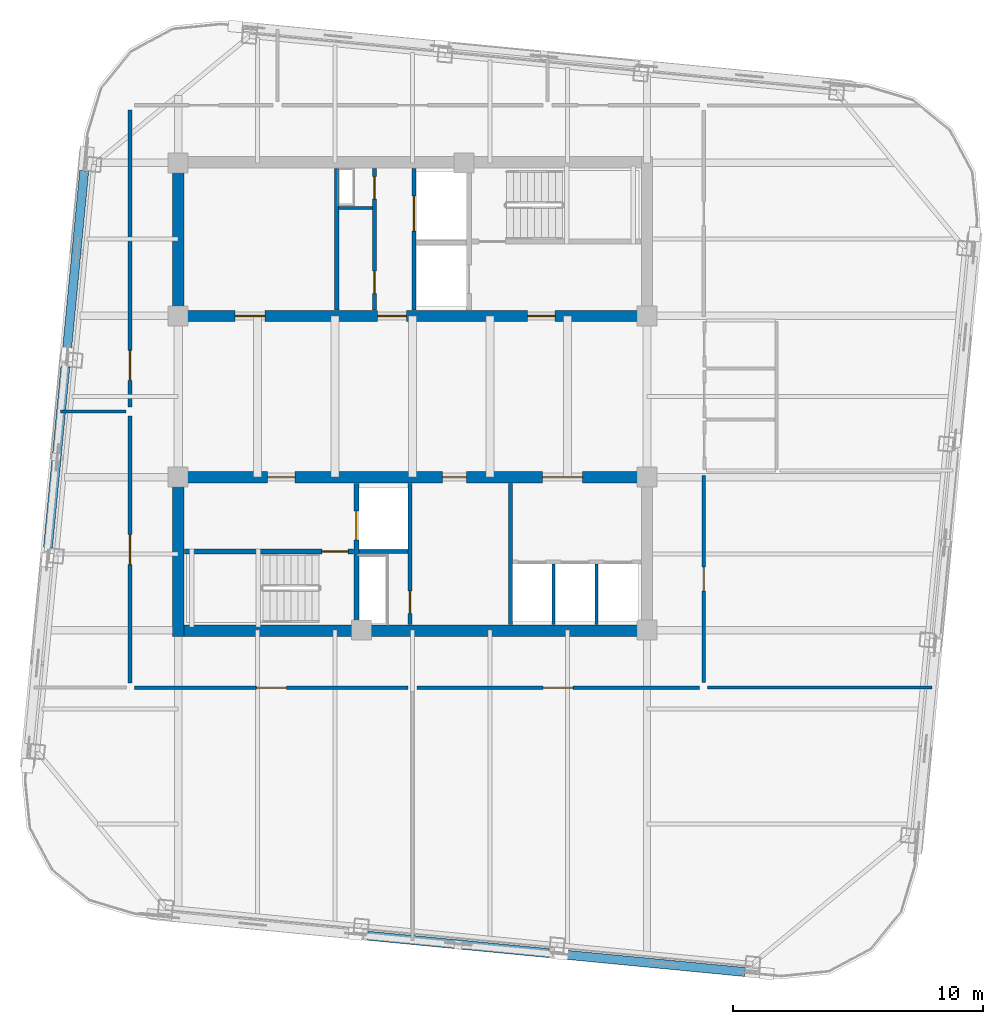
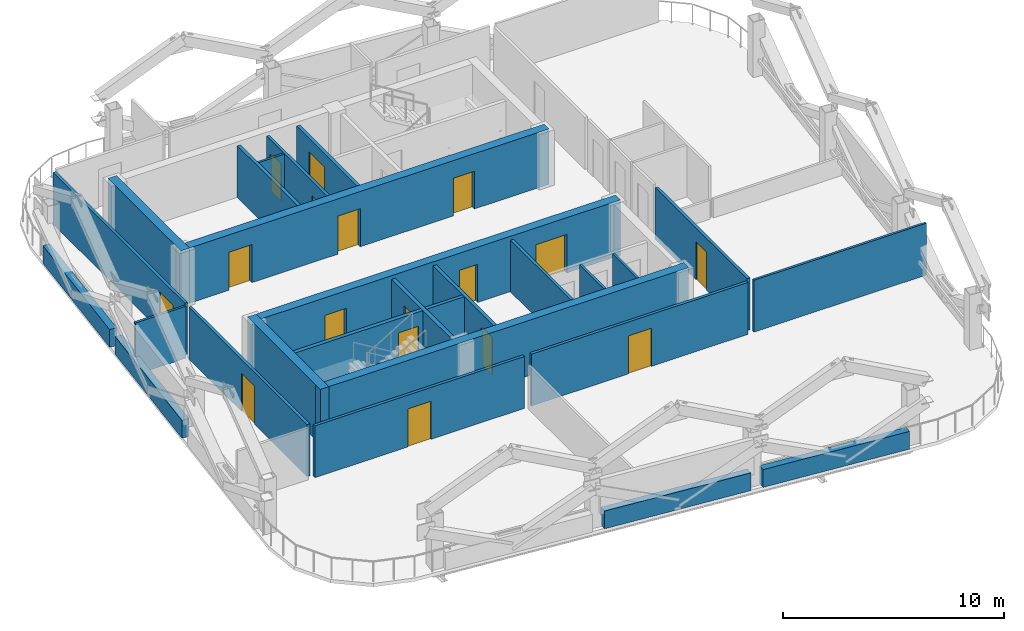
# One storey, part 4 of 10: 27 walls, 17 doors, 17 openings.
"""IFC4 building model written with IfcOpenShell, lengths in metres."""

from ifc_helpers import new_model, si_unit, direction, frame, frame_2d, origin, place, context, subcontext, project, spatial, rectangle, extrude, material, layer, layer_set, type_object, element, fill, save


model = new_model("IFC4")

# Units and contexts
model_context = context("Model", 3, precision=1e-05, world=origin(), true_north=direction((0.0, 1.0)))
body_context = subcontext(model_context, "Body", "Model", "MODEL_VIEW")
ifc_project = project(units=[si_unit("LENGTHUNIT", "METRE"), si_unit("AREAUNIT", "SQUARE_METRE"), si_unit("VOLUMEUNIT", "CUBIC_METRE"), si_unit("PLANEANGLEUNIT", "RADIAN"), si_unit("MASSUNIT", "GRAM", prefix="KILO")], contexts=[model_context])

# Site, building, storey
site_placement = place(None, origin())
site = spatial("IfcSite", under=ifc_project, at=site_placement, CompositionType="ELEMENT")
building_placement = place(site_placement, origin())
building = spatial("IfcBuilding", under=site, at=building_placement, Name="Qhalaya Broadcast Tower", CompositionType="ELEMENT")
storey_placement = place(building_placement, frame((0.0, 0.0, 267.25)))
storey = spatial("IfcBuildingStorey", under=building, at=storey_placement, Name="L79", CompositionType="ELEMENT", Elevation=267.25)

# Wall, openings, doors
ifc_material_1 = material(Name="Gypsum Acoustic Partition")
ifc_layer_1 = layer(ifc_material_1, 0.14990234375, Name="Gypsum Acoustic Partition")
ifc_layer_set_1 = layer_set([ifc_layer_1], Name="Gypsum Acoustic Partition")
wall_type_1 = type_object("IfcWallType", Name="Corridor & Tenancy Acoustic Partition 150", PredefinedType="PARTITIONING", material=ifc_layer_set_1)
wall_1_placement = place(storey_placement, frame((-1.52001953125, 4.070068359375, 0.0), z_axis=(0.0, 0.0, 1.0), x_axis=(0.0, 1.0, 0.0)))
wall_1 = element("IfcWall", 1, at=wall_1_placement, inside=storey, type_object=wall_type_1, Name="L79 Partition Wall NCW-SVL", PredefinedType="PARTITIONING", context=body_context, shape_type="SweptSolid", body=[
    extrude(rectangle(XDim=5.659912109375, YDim=0.14990234375, at=frame_2d((2.830078125, 0.0))), origin(), (0.0, 0.0, 1.0), 2.860107421875),
])
opening_1_placement = place(wall_1_placement, frame((4.429931640625, 0.0, 0.0)))
opening_1 = element("IfcOpeningElement", 2, at=opening_1_placement, cuts=wall_1, Name="Opening D06", PredefinedType="OPENING", context=body_context, shape_type="SweptSolid", body=[
    extrude(rectangle(XDim=0.89990234375, YDim=2.050048828125, at=frame_2d((0.449951171875, 1.02490234375))), frame((0.0, 0.0869140625, 0.0), z_axis=(0.0, -1.0, 0.0), x_axis=(1.0, 0.0, 0.0)), (0.0, 0.0, 1.0), 0.173828125),
])
opening_2_placement = place(wall_1_placement, frame((0.64990234375, 0.0, 0.0)))
opening_2 = element("IfcOpeningElement", 3, at=opening_2_placement, cuts=wall_1, Name="Opening D06", PredefinedType="OPENING", context=body_context, shape_type="SweptSolid", body=[
    extrude(rectangle(XDim=0.89990234375, YDim=2.050048828125, at=frame_2d((0.449951171875, 1.02490234375))), frame((0.0, 0.0869140625, 0.0), z_axis=(0.0, -1.0, 0.0), x_axis=(1.0, 0.0, 0.0)), (0.0, 0.0, 1.0), 0.173828125),
])
ifc_material_2 = material(Name="Fire-Rated Steel Door", Category="steel")
door_type_1 = type_object("IfcDoorType", Name="Riser & Electrical Shaft Access Door D06", OperationType="NOTDEFINED", PredefinedType="DOOR", material=ifc_material_2)
door_1_placement = place(opening_1_placement, origin())
door_1 = element("IfcDoor", 4, at=door_1_placement, inside=storey, type_object=door_type_1, Name="L79 Riser Shaft Access Door D-NRSR", OperationType="SINGLE_SWING_RIGHT", OverallHeight=2.050048828125, OverallWidth=0.89990234375, PredefinedType="DOOR", context=body_context, shape_type="SweptSolid", body=[
    extrude(rectangle(XDim=0.89990234375, YDim=2.050048828125, at=frame_2d((0.449951171875, 1.02490234375))), frame((0.0, 0.02490234375, 0.0), z_axis=(0.0, -1.0, 0.0), x_axis=(1.0, 0.0, 0.0)), (0.0, 0.0, 1.0), 0.050048828125),
])
fill(opening_1, door_1)
door_2_placement = place(opening_2_placement, origin())
door_2 = element("IfcDoor", 5, at=door_2_placement, inside=storey, type_object=door_type_1, Name="L79 Door D-NCST", OperationType="SINGLE_SWING_LEFT", OverallHeight=2.050048828125, OverallWidth=0.89990234375, PredefinedType="DOOR", context=body_context, shape_type="SweptSolid", body=[
    extrude(rectangle(XDim=0.89990234375, YDim=2.050048828125, at=frame_2d((0.449951171875, 1.02490234375))), frame((0.0, 0.02490234375, 0.0), z_axis=(0.0, -1.0, 0.0), x_axis=(1.0, 0.0, 0.0)), (0.0, 0.0, 1.0), 0.050048828125),
])
fill(opening_2, door_2)

# Wall
wall_2_placement = place(storey_placement, frame((3.919921875, -8.530029296875, 0.0), z_axis=(0.0, 0.0, 1.0), x_axis=(0.0, 1.0, 0.0)))
element("IfcWall", 6, at=wall_2_placement, inside=storey, type_object=wall_type_1, Name="L79 Partition Wall SCW-HSEP", PredefinedType="PARTITIONING", context=body_context, shape_type="SweptSolid", body=[
    extrude(rectangle(XDim=5.659912109375, YDim=0.14990234375, at=frame_2d((2.830078125, 0.0))), origin(), (0.0, 0.0, 1.0), 2.860107421875),
])

# Wall, opening, door
wall_3_placement = place(storey_placement, frame((-11.1201171875, -11.050048828125, 0.0), z_axis=(0.0, 0.0, 1.0), x_axis=(1.0, 0.0, 0.0)))
wall_3 = element("IfcWall", 7, at=wall_3_placement, inside=storey, type_object=wall_type_1, Name="L79 Partition Wall W-COR-04", PredefinedType="PARTITIONING", context=body_context, shape_type="SweptSolid", body=[
    extrude(rectangle(XDim=10.940185546875, YDim=0.14990234375, at=frame_2d((5.47021484375, 0.0))), origin(), (0.0, 0.0, 1.0), 2.860107421875),
])
opening_3_placement = place(wall_3_placement, frame((4.8701171875, 0.0, 0.0)))
opening_3 = element("IfcOpeningElement", 8, at=opening_3_placement, cuts=wall_3, Name="Opening D11", PredefinedType="OPENING", context=body_context, shape_type="SweptSolid", body=[
    extrude(rectangle(XDim=1.199951171875, YDim=2.10009765625, at=frame_2d((0.60009765625, 1.050048828125))), frame((0.0, 0.0869140625, 0.0), z_axis=(0.0, -1.0, 0.0), x_axis=(1.0, 0.0, 0.0)), (0.0, 0.0, 1.0), 0.173828125),
])
ifc_material_3 = material(Name="Anodised Aluminium Glazed Door", Category="aluminium")
door_type_2 = type_object("IfcDoorType", Name="Conference, Boardroom & Studio Control Door D11", OperationType="NOTDEFINED", PredefinedType="DOOR", material=ifc_material_3)
door_3_placement = place(opening_3_placement, origin())
door_3 = element("IfcDoor", 9, at=door_3_placement, inside=storey, type_object=door_type_2, Name="L79 Door D-RM04", OperationType="SINGLE_SWING_RIGHT", OverallHeight=2.10009765625, OverallWidth=1.199951171875, PredefinedType="DOOR", context=body_context, shape_type="SweptSolid", body=[
    extrude(rectangle(XDim=1.199951171875, YDim=2.10009765625, at=frame_2d((0.60009765625, 1.050048828125))), frame((0.0, 0.02490234375, 0.0), z_axis=(0.0, -1.0, 0.0), x_axis=(1.0, 0.0, 0.0)), (0.0, 0.0, 1.0), 0.050048828125),
])
fill(opening_3, door_3)

wall_4_placement = place(storey_placement, frame((0.179931640625, -11.050048828125, 0.0), z_axis=(0.0, 0.0, 1.0), x_axis=(1.0, 0.0, 0.0)))
wall_4 = element("IfcWall", 10, at=wall_4_placement, inside=storey, type_object=wall_type_1, Name="L79 Partition Wall W-COR-05", PredefinedType="PARTITIONING", context=body_context, shape_type="SweptSolid", body=[
    extrude(rectangle(XDim=11.2900390625, YDim=0.14990234375, at=frame_2d((5.64501953125, 0.0))), origin(), (0.0, 0.0, 1.0), 2.860107421875),
])
opening_4_placement = place(wall_4_placement, frame((5.044921875, 0.0, 0.0)))
opening_4 = element("IfcOpeningElement", 11, at=opening_4_placement, cuts=wall_4, Name="Opening D11", PredefinedType="OPENING", context=body_context, shape_type="SweptSolid", body=[
    extrude(rectangle(XDim=1.199951171875, YDim=2.10009765625, at=frame_2d((0.60009765625, 1.050048828125))), frame((0.0, 0.0869140625, 0.0), z_axis=(0.0, -1.0, 0.0), x_axis=(1.0, 0.0, 0.0)), (0.0, 0.0, 1.0), 0.173828125),
])
door_4_placement = place(opening_4_placement, origin())
door_4 = element("IfcDoor", 12, at=door_4_placement, inside=storey, type_object=door_type_2, Name="L79 Door D-RM05", OperationType="SINGLE_SWING_LEFT", OverallHeight=2.10009765625, OverallWidth=1.199951171875, PredefinedType="DOOR", context=body_context, shape_type="SweptSolid", body=[
    extrude(rectangle(XDim=1.199951171875, YDim=2.10009765625, at=frame_2d((0.60009765625, 1.050048828125))), frame((0.0, 0.02490234375, 0.0), z_axis=(0.0, -1.0, 0.0), x_axis=(1.0, 0.0, 0.0)), (0.0, 0.0, 1.0), 0.050048828125),
])
fill(opening_4, door_4)

wall_5_placement = place(storey_placement, frame((-11.300048828125, -0.179931640625, 0.0), z_axis=(0.0, 0.0, 1.0), x_axis=(0.0, -1.0, 0.0)))
wall_5 = element("IfcWall", 13, at=wall_5_placement, inside=storey, type_object=wall_type_1, Name="L79 Partition Wall W-COR-06", PredefinedType="PARTITIONING", context=body_context, shape_type="SweptSolid", body=[
    extrude(rectangle(XDim=10.690185546875, YDim=0.14990234375, at=frame_2d((5.34521484375, 0.0))), origin(), (0.0, 0.0, 1.0), 2.860107421875),
])
opening_5_placement = place(wall_5_placement, frame((4.7451171875, 0.0, 0.0)))
opening_5 = element("IfcOpeningElement", 14, at=opening_5_placement, cuts=wall_5, Name="Opening D11", PredefinedType="OPENING", context=body_context, shape_type="SweptSolid", body=[
    extrude(rectangle(XDim=1.199951171875, YDim=2.10009765625, at=frame_2d((0.60009765625, 1.050048828125))), frame((0.0, 0.0869140625, 0.0), z_axis=(0.0, -1.0, 0.0), x_axis=(1.0, 0.0, 0.0)), (0.0, 0.0, 1.0), 0.173828125),
])
door_5_placement = place(opening_5_placement, origin())
door_5 = element("IfcDoor", 15, at=door_5_placement, inside=storey, type_object=door_type_2, Name="L79 Door D-RM06", OperationType="SINGLE_SWING_RIGHT", OverallHeight=2.10009765625, OverallWidth=1.199951171875, PredefinedType="DOOR", context=body_context, shape_type="SweptSolid", body=[
    extrude(rectangle(XDim=1.199951171875, YDim=2.10009765625, at=frame_2d((0.60009765625, 1.050048828125))), frame((0.0, 0.02490234375, 0.0), z_axis=(0.0, -1.0, 0.0), x_axis=(1.0, 0.0, 0.0)), (0.0, 0.0, 1.0), 0.050048828125),
])
fill(opening_5, door_5)

wall_6_placement = place(storey_placement, frame((-11.300048828125, 12.070068359375, 0.0), z_axis=(0.0, 0.0, 1.0), x_axis=(0.0, -1.0, 0.0)))
wall_6 = element("IfcWall", 16, at=wall_6_placement, inside=storey, type_object=wall_type_1, Name="L79 Partition Wall W-COR-07", PredefinedType="PARTITIONING", context=body_context, shape_type="SweptSolid", body=[
    extrude(rectangle(XDim=11.89013671875, YDim=0.14990234375, at=frame_2d((5.945068359375, 0.0))), origin(), (0.0, 0.0, 1.0), 2.860107421875),
])
opening_6_placement = place(wall_6_placement, frame((9.625, 0.0, 0.0)))
opening_6 = element("IfcOpeningElement", 17, at=opening_6_placement, cuts=wall_6, Name="Opening D11", PredefinedType="OPENING", context=body_context, shape_type="SweptSolid", body=[
    extrude(rectangle(XDim=1.199951171875, YDim=2.10009765625, at=frame_2d((0.60009765625, 1.050048828125))), frame((0.0, 0.0869140625, 0.0), z_axis=(0.0, -1.0, 0.0), x_axis=(1.0, 0.0, 0.0)), (0.0, 0.0, 1.0), 0.173828125),
])
door_6_placement = place(opening_6_placement, origin())
door_6 = element("IfcDoor", 18, at=door_6_placement, inside=storey, type_object=door_type_2, Name="L79 Door D-RM07", OperationType="SINGLE_SWING_LEFT", OverallHeight=2.10009765625, OverallWidth=1.199951171875, PredefinedType="DOOR", context=body_context, shape_type="SweptSolid", body=[
    extrude(rectangle(XDim=1.199951171875, YDim=2.10009765625, at=frame_2d((0.60009765625, 1.050048828125))), frame((0.0, 0.02490234375, 0.0), z_axis=(0.0, -1.0, 0.0), x_axis=(1.0, 0.0, 0.0)), (0.0, 0.0, 1.0), 0.050048828125),
])
fill(opening_6, door_6)

wall_7_placement = place(storey_placement, frame((11.64990234375, -10.85009765625, 0.0), z_axis=(0.0, 0.0, 1.0), x_axis=(0.0, 1.0, 0.0)))
wall_7 = element("IfcWall", 19, at=wall_7_placement, inside=storey, type_object=wall_type_1, Name="L79 Partition Wall W-COR-08", PredefinedType="PARTITIONING", context=body_context, shape_type="SweptSolid", body=[
    extrude(rectangle(XDim=8.2900390625, YDim=0.14990234375, at=frame_2d((4.14501953125, 0.0))), origin(), (0.0, 0.0, 1.0), 2.860107421875),
])
opening_7_placement = place(wall_7_placement, frame((3.669921875, 0.0, 0.0)))
opening_7 = element("IfcOpeningElement", 20, at=opening_7_placement, cuts=wall_7, Name="Opening D10", PredefinedType="OPENING", context=body_context, shape_type="SweptSolid", body=[
    extrude(rectangle(XDim=0.949951171875, YDim=2.10009765625, at=frame_2d((0.47509765625, 1.050048828125))), frame((0.0, 0.0869140625, 0.0), z_axis=(0.0, -1.0, 0.0), x_axis=(1.0, 0.0, 0.0)), (0.0, 0.0, 1.0), 0.173828125),
])
ifc_material_4 = material(Name="Timber Veneer Acoustic Door", Category="wood")
door_type_3 = type_object("IfcDoorType", Name="Cellular Office & Edit Booth Door D10", OperationType="NOTDEFINED", PredefinedType="DOOR", material=ifc_material_4)
door_7_placement = place(opening_7_placement, origin())
door_7 = element("IfcDoor", 21, at=door_7_placement, inside=storey, type_object=door_type_3, Name="L79 Door D-RM08", OperationType="SINGLE_SWING_RIGHT", OverallHeight=2.10009765625, OverallWidth=0.949951171875, PredefinedType="DOOR", context=body_context, shape_type="SweptSolid", body=[
    extrude(rectangle(XDim=0.949951171875, YDim=2.10009765625, at=frame_2d((0.47509765625, 1.050048828125))), frame((0.0, 0.02490234375, 0.0), z_axis=(0.0, -1.0, 0.0), x_axis=(1.0, 0.0, 0.0)), (0.0, 0.0, 1.0), 0.050048828125),
])
fill(opening_7, door_7)

# Walls
ifc_material_5 = material(Name="Precast Concrete C40/50", Category="concrete")
ifc_layer_2 = layer(ifc_material_5, 0.360107421875, Name="Precast Concrete C40/50")
ifc_layer_set_2 = layer_set([ifc_layer_2], Name="Precast Concrete C40/50")
wall_type_2 = type_object("IfcWallType", Name="Insulated Precast Terracotta Exterior Wall 360", PredefinedType="SOLIDWALL", material=ifc_layer_set_2)
wall_8_placement = place(storey_placement, frame((13.287109375, -22.421142578125, 0.0), z_axis=(0.0, 0.0, 1.0), x_axis=(-0.99539771442, 0.095830006406, 0.0)))
element("IfcWall", 22, at=wall_8_placement, inside=storey, type_object=wall_type_2, Name="L79 Exoskeleton Diagrid Infill Wall S1", PredefinedType="SOLIDWALL", context=body_context, shape_type="SweptSolid", body=[
    extrude(rectangle(XDim=7.278564453125, YDim=0.360107421875, at=frame_2d((3.63916015625, 0.0))), origin(), (0.0, 0.0, 1.0), 0.97998046875),
])
for number, where, z_axis, x_axis, name in (
    (23, (5.44482421875, -21.666015625, 0.0), (0.0, 0.0, 1.0), (-0.995395415043, 0.095853887303, 0.0), "L79 Exoskeleton Diagrid Infill Wall S2"),
    (24, (-14.5859375, -5.44482421875, 0.0), (0.0, 0.0, 1.0), (0.095820598258, 0.995398620126, 0.0), "L79 Exoskeleton Diagrid Infill Wall W2"),
):
    element("IfcWall", number, at=place(storey_placement, frame(where, z_axis=z_axis, x_axis=x_axis)), inside=storey, type_object=wall_type_2, Name=name, PredefinedType="SOLIDWALL", context=body_context, shape_type="SweptSolid", body=[
        extrude(rectangle(XDim=7.2666015625, YDim=0.360107421875, at=frame_2d((3.63330078125, 0.0))), origin(), (0.0, 0.0, 1.0), 0.97998046875),
    ])
wall_9_placement = place(storey_placement, frame((-13.83203125, 2.385498046875, 0.0), z_axis=(0.0, 0.0, 1.0), x_axis=(0.095826806958, 0.995398022435, 0.0)))
element("IfcWall", 25, at=wall_9_placement, inside=storey, type_object=wall_type_2, Name="L79 Exoskeleton Diagrid Infill Wall W3", PredefinedType="SOLIDWALL", context=body_context, shape_type="SweptSolid", body=[
    extrude(rectangle(XDim=7.27880859375, YDim=0.360107421875, at=frame_2d((3.639404296875, 0.0))), origin(), (0.0, 0.0, 1.0), 0.97998046875),
])

# Wall, opening, door
ifc_material_6 = material(Name="Concrete C50/60", Category="concrete")
ifc_layer_3 = layer(ifc_material_6, 0.199951171875, Name="Concrete C50/60")
ifc_layer_set_3 = layer_set([ifc_layer_3], Name="Concrete C50/60")
wall_type_3 = type_object("IfcWallType", Name="Load-Bearing Stair Shaft Wall 200", PredefinedType="SHEAR", material=ifc_layer_set_3)
wall_10_placement = place(storey_placement, frame((-9.1298828125, -5.60498046875, 0.0), z_axis=(0.0, 0.0, 1.0), x_axis=(1.0, 0.0, 0.0)))
wall_10 = element("IfcWall", 26, at=wall_10_placement, inside=storey, type_object=wall_type_3, Name="L79 Stair Core Shear Wall SCW-ST2", PredefinedType="SHEAR", context=body_context, shape_type="SweptSolid", body=[
    extrude(rectangle(XDim=6.769775390625, YDim=0.199951171875, at=frame_2d((3.384765625, 0.0))), origin(), (0.0, 0.0, 1.0), 2.860107421875),
])
opening_8_placement = place(wall_10_placement, frame((5.5, 0.0, 0.0)))
opening_8 = element("IfcOpeningElement", 27, at=opening_8_placement, cuts=wall_10, Name="Opening D03", PredefinedType="OPENING", context=body_context, shape_type="SweptSolid", body=[
    extrude(rectangle(XDim=1.050048828125, YDim=2.080078125, at=frame_2d((0.52490234375, 1.0400390625))), frame((0.0, 0.112060546875, 0.0), z_axis=(0.0, -1.0, 0.0), x_axis=(1.0, 0.0, 0.0)), (0.0, 0.0, 1.0), 0.223876953125),
])
door_type_4 = type_object("IfcDoorType", Name="Core Stair Protected Fire Door D03", OperationType="NOTDEFINED", PredefinedType="DOOR", material=ifc_material_2)
door_8_placement = place(opening_8_placement, origin())
door_8 = element("IfcDoor", 28, at=door_8_placement, inside=storey, type_object=door_type_4, Name="L79 Door D-SST2", OperationType="SINGLE_SWING_RIGHT", OverallHeight=2.080078125, OverallWidth=1.050048828125, PredefinedType="DOOR", context=body_context, shape_type="SweptSolid", body=[
    extrude(rectangle(XDim=1.050048828125, YDim=2.080078125, at=frame_2d((0.52490234375, 1.0400390625))), frame((0.0, 0.02490234375, 0.0), z_axis=(0.0, -1.0, 0.0), x_axis=(1.0, 0.0, 0.0)), (0.0, 0.0, 1.0), 0.050048828125),
])
fill(opening_8, door_8)

wall_11_placement = place(storey_placement, frame((-2.25, -8.530029296875, 0.0), z_axis=(0.0, 0.0, 1.0), x_axis=(0.0, 1.0, 0.0)))
wall_11 = element("IfcWall", 29, at=wall_11_placement, inside=storey, type_object=wall_type_3, Name="L79 Stair Core Shear Wall SCW-FF", PredefinedType="SHEAR", context=body_context, shape_type="SweptSolid", body=[
    extrude(rectangle(XDim=5.659912109375, YDim=0.199951171875, at=frame_2d((2.830078125, 0.0))), origin(), (0.0, 0.0, 1.0), 2.860107421875),
])
opening_9_placement = place(wall_11_placement, frame((3.39990234375, 0.0, 0.0)))
opening_9 = element("IfcOpeningElement", 30, at=opening_9_placement, cuts=wall_11, Name="Opening LD2", PredefinedType="OPENING", context=body_context, shape_type="SweptSolid", body=[
    extrude(rectangle(XDim=1.14990234375, YDim=2.080078125, at=frame_2d((0.574951171875, 1.0400390625))), frame((0.0, 0.112060546875, 0.0), z_axis=(0.0, -1.0, 0.0), x_axis=(1.0, 0.0, 0.0)), (0.0, 0.0, 1.0), 0.223876953125),
])
ifc_material_7 = material(Name="Brushed Stainless Steel Lift Door", Category="steel")
door_type_5 = type_object("IfcDoorType", Name="Firefighting Lift Sliding Landing Door LD2", OperationType="DOUBLE_DOOR_SLIDING", PredefinedType="DOOR", material=ifc_material_7)
door_9_placement = place(opening_9_placement, origin())
door_9 = element("IfcDoor", 31, at=door_9_placement, inside=storey, type_object=door_type_5, Name="L79 Door LD-FF2", OperationType="DOUBLE_DOOR_SLIDING", OverallHeight=2.080078125, OverallWidth=1.14990234375, PredefinedType="DOOR", context=body_context, shape_type="SweptSolid", body=[
    extrude(rectangle(XDim=1.14990234375, YDim=2.080078125, at=frame_2d((0.574951171875, 1.0400390625))), frame((0.0, 0.02490234375, 0.0), z_axis=(0.0, -1.0, 0.0), x_axis=(1.0, 0.0, 0.0)), (0.0, 0.0, 1.0), 0.050048828125),
])
fill(opening_9, door_9)

# Walls
ifc_layer_4 = layer(ifc_material_1, 0.1201171875, Name="Gypsum Acoustic Partition")
ifc_layer_set_4 = layer_set([ifc_layer_4], Name="Gypsum Acoustic Partition")
wall_type_4 = type_object("IfcWallType", Name="Office, Booth & Sanitary Partition 120", PredefinedType="PARTITIONING", material=ifc_layer_set_4)
wall_12_placement = place(storey_placement, frame((-2.9599609375, 8.14990234375, 0.0), z_axis=(0.0, 0.0, 1.0), x_axis=(1.0, 0.0, 0.0)))
element("IfcWall", 32, at=wall_12_placement, inside=storey, type_object=wall_type_4, Name="L79 Partition Wall NCW-VA", PredefinedType="PARTITIONING", context=body_context, shape_type="SweptSolid", body=[
    extrude(rectangle(XDim=1.35986328125, YDim=0.1201171875, at=frame_2d((0.679931640625, 0.0))), origin(), (0.0, 0.0, 1.0), 2.860107421875),
])
for number, where, z_axis, x_axis, name in (
    (33, (5.639892578125, -8.530029296875, 0.0), (0.0, 0.0, 1.0), (0.0, 1.0, 0.0), "L79 Partition Wall SCW-HD6"),
    (34, (7.360107421875, -8.530029296875, 0.0), (0.0, 0.0, 1.0), (0.0, 1.0, 0.0), "L79 Partition Wall SCW-HD7"),
):
    element("IfcWall", number, at=place(storey_placement, frame(where, z_axis=z_axis, x_axis=x_axis)), inside=storey, type_object=wall_type_4, Name=name, PredefinedType="PARTITIONING", context=body_context, shape_type="SweptSolid", body=[
        extrude(rectangle(XDim=2.429931640625, YDim=0.1201171875, at=frame_2d((1.21484375, 0.0))), origin(), (0.0, 0.0, 1.0), 2.860107421875),
    ])
wall_13_placement = place(storey_placement, frame((11.7900390625, -11.050048828125, 0.0), z_axis=(0.0, 0.0, 1.0), x_axis=(1.0, 0.0, 0.0)))
element("IfcWall", 35, at=wall_13_placement, inside=storey, type_object=wall_type_4, Name="L79 Partition Wall W-BNDE2", PredefinedType="PARTITIONING", context=body_context, shape_type="SweptSolid", body=[
    extrude(rectangle(XDim=8.989501953125, YDim=0.1201171875, at=frame_2d((4.49462890625, 0.0))), origin(), (0.0, 0.0, 1.0), 2.860107421875),
])
wall_14_placement = place(storey_placement, frame((-14.081787109375, 0.0, 0.0), z_axis=(0.0, 0.0, 1.0), x_axis=(1.0, 0.0, 0.0)))
element("IfcWall", 36, at=wall_14_placement, inside=storey, type_object=wall_type_4, Name="L79 Partition Wall W-DIVW1", PredefinedType="PARTITIONING", context=body_context, shape_type="SweptSolid", body=[
    extrude(rectangle(XDim=2.621826171875, YDim=0.1201171875, at=frame_2d((1.31103515625, 0.0))), origin(), (0.0, 0.0, 1.0), 2.860107421875),
])

# Wall, opening, door
ifc_layer_5 = layer(ifc_material_1, 0.175048828125, Name="Gypsum Acoustic Partition")
ifc_layer_set_5 = layer_set([ifc_layer_5], Name="Gypsum Acoustic Partition")
wall_type_5 = type_object("IfcWallType", Name="Shaft & Riser Fire Partition 175", PredefinedType="PARTITIONING", material=ifc_layer_set_5)
wall_15_placement = place(storey_placement, frame((0.06005859375, 4.070068359375, 0.0), z_axis=(0.0, 0.0, 1.0), x_axis=(0.0, 1.0, 0.0)))
wall_15 = element("IfcWall", 37, at=wall_15_placement, inside=storey, type_object=wall_type_5, Name="L79 Partition Wall NCW-SVW", PredefinedType="PARTITIONING", context=body_context, shape_type="SweptSolid", body=[
    extrude(rectangle(XDim=5.659912109375, YDim=0.175048828125, at=frame_2d((2.830078125, 0.0))), origin(), (0.0, 0.0, 1.0), 2.860107421875),
])
opening_10_placement = place(wall_15_placement, frame((3.14990234375, 0.0, 0.0)))
opening_10 = element("IfcOpeningElement", 38, at=opening_10_placement, cuts=wall_15, Name="Opening LD3", PredefinedType="OPENING", context=body_context, shape_type="SweptSolid", body=[
    extrude(rectangle(XDim=1.39990234375, YDim=2.1201171875, at=frame_2d((0.699951171875, 1.06005859375))), frame((0.0, 0.099609375, 0.0), z_axis=(0.0, -1.0, 0.0), x_axis=(1.0, 0.0, 0.0)), (0.0, 0.0, 1.0), 0.198974609375),
])
door_type_6 = type_object("IfcDoorType", Name="Service Lift Wide Sliding Landing Door LD3", OperationType="DOUBLE_DOOR_SLIDING", PredefinedType="DOOR", material=ifc_material_7)
door_10_placement = place(opening_10_placement, origin())
door_10 = element("IfcDoor", 39, at=door_10_placement, inside=storey, type_object=door_type_6, Name="L79 Door LD-SV1", OperationType="DOUBLE_DOOR_SLIDING", OverallHeight=2.1201171875, OverallWidth=1.39990234375, PredefinedType="DOOR", context=body_context, shape_type="SweptSolid", body=[
    extrude(rectangle(XDim=1.39990234375, YDim=2.1201171875, at=frame_2d((0.699951171875, 1.06005859375))), frame((0.0, 0.02490234375, 0.0), z_axis=(0.0, -1.0, 0.0), x_axis=(1.0, 0.0, 0.0)), (0.0, 0.0, 1.0), 0.050048828125),
])
fill(opening_10, door_10)

# Wall
wall_16_placement = place(storey_placement, frame((-3.0400390625, 4.070068359375, 0.0), z_axis=(0.0, 0.0, 1.0), x_axis=(0.0, 1.0, 0.0)))
element("IfcWall", 40, at=wall_16_placement, inside=storey, type_object=wall_type_5, Name="L79 Partition Wall NCW-VRW", PredefinedType="PARTITIONING", context=body_context, shape_type="SweptSolid", body=[
    extrude(rectangle(XDim=5.659912109375, YDim=0.175048828125, at=frame_2d((2.830078125, 0.0))), origin(), (0.0, 0.0, 1.0), 2.860107421875),
])

# Wall, opening, door
wall_17_placement = place(storey_placement, frame((-0.10009765625, -8.530029296875, 0.0), z_axis=(0.0, 0.0, 1.0), x_axis=(0.0, 1.0, 0.0)))
wall_17 = element("IfcWall", 41, at=wall_17_placement, inside=storey, type_object=wall_type_5, Name="L79 Partition Wall SCW-FFE", PredefinedType="PARTITIONING", context=body_context, shape_type="SweptSolid", body=[
    extrude(rectangle(XDim=5.659912109375, YDim=0.175048828125, at=frame_2d((2.830078125, 0.0))), origin(), (0.0, 0.0, 1.0), 2.860107421875),
])
opening_11_placement = place(wall_17_placement, frame((0.449951171875, 0.0, 0.0)))
opening_11 = element("IfcOpeningElement", 42, at=opening_11_placement, cuts=wall_17, Name="Opening D06", PredefinedType="OPENING", context=body_context, shape_type="SweptSolid", body=[
    extrude(rectangle(XDim=0.89990234375, YDim=2.050048828125, at=frame_2d((0.449951171875, 1.02490234375))), frame((0.0, 0.099609375, 0.0), z_axis=(0.0, -1.0, 0.0), x_axis=(1.0, 0.0, 0.0)), (0.0, 0.0, 1.0), 0.198974609375),
])
door_11_placement = place(opening_11_placement, origin())
door_11 = element("IfcDoor", 43, at=door_11_placement, inside=storey, type_object=door_type_1, Name="L79 Riser Shaft Access Door D-SRSR", OperationType="SINGLE_SWING_LEFT", OverallHeight=2.050048828125, OverallWidth=0.89990234375, PredefinedType="DOOR", context=body_context, shape_type="SweptSolid", body=[
    extrude(rectangle(XDim=0.89990234375, YDim=2.050048828125, at=frame_2d((0.449951171875, 1.02490234375))), frame((0.0, 0.02490234375, 0.0), z_axis=(0.0, -1.0, 0.0), x_axis=(1.0, 0.0, 0.0)), (0.0, 0.0, 1.0), 0.050048828125),
])
fill(opening_11, door_11)

# Wall
wall_18_placement = place(storey_placement, frame((-2.14990234375, -5.60009765625, 0.0), z_axis=(0.0, 0.0, 1.0), x_axis=(1.0, 0.0, 0.0)))
element("IfcWall", 44, at=wall_18_placement, inside=storey, type_object=wall_type_5, Name="L79 Partition Wall SCW-FFM", PredefinedType="PARTITIONING", context=body_context, shape_type="SweptSolid", body=[
    extrude(rectangle(XDim=1.969970703125, YDim=0.175048828125, at=frame_2d((0.98486328125, 0.0))), origin(), (0.0, 0.0, 1.0), 2.860107421875),
])

# Wall, openings, doors
ifc_layer_6 = layer(ifc_material_6, 0.449951171875, Name="Concrete C50/60")
ifc_layer_set_6 = layer_set([ifc_layer_6], Name="Concrete C50/60")
wall_type_6 = type_object("IfcWallType", Name="Upper Split-Core Shear Wall 450", PredefinedType="SHEAR", material=ifc_layer_set_6)
wall_19_placement = place(storey_placement, frame((-9.60009765625, 3.824951171875, 0.0), z_axis=(0.0, 0.0, 1.0), x_axis=(1.0, 0.0, 0.0)))
wall_19 = element("IfcWall", 45, at=wall_19_placement, inside=storey, type_object=wall_type_6, Name="L79 Split-Core Shear Wall CW-NS", PredefinedType="SHEAR", context=body_context, shape_type="SweptSolid", body=[
    extrude(rectangle(XDim=19.2001953125, YDim=0.449951171875, at=frame_2d((9.60009765625, 0.0))), origin(), (0.0, 0.0, 1.0), 3.050048828125),
])
opening_12_placement = place(wall_19_placement, frame((14.199951171875, 0.0, 0.0)))
opening_12 = element("IfcOpeningElement", 46, at=opening_12_placement, cuts=wall_19, Name="Opening D04", PredefinedType="OPENING", context=body_context, shape_type="SweptSolid", body=[
    extrude(rectangle(XDim=1.10009765625, YDim=2.080078125, at=frame_2d((0.550048828125, 1.0400390625))), frame((0.0, 0.237060546875, 0.0), z_axis=(0.0, -1.0, 0.0), x_axis=(1.0, 0.0, 0.0)), (0.0, 0.0, 1.0), 0.473876953125),
])
opening_13_placement = place(wall_19_placement, frame((8.199951171875, 0.0, 0.0)))
opening_13 = element("IfcOpeningElement", 47, at=opening_13_placement, cuts=wall_19, Name="Opening D05", PredefinedType="OPENING", context=body_context, shape_type="SweptSolid", body=[
    extrude(rectangle(XDim=1.14990234375, YDim=2.10009765625, at=frame_2d((0.574951171875, 1.050048828125))), frame((0.0, 0.237060546875, 0.0), z_axis=(0.0, -1.0, 0.0), x_axis=(1.0, 0.0, 0.0)), (0.0, 0.0, 1.0), 0.473876953125),
])
opening_14_placement = place(wall_19_placement, frame((2.5, 0.0, 0.0)))
opening_14 = element("IfcOpeningElement", 48, at=opening_14_placement, cuts=wall_19, Name="Opening D11", PredefinedType="OPENING", context=body_context, shape_type="SweptSolid", body=[
    extrude(rectangle(XDim=1.199951171875, YDim=2.10009765625, at=frame_2d((0.60009765625, 1.050048828125))), frame((0.0, 0.237060546875, 0.0), z_axis=(0.0, -1.0, 0.0), x_axis=(1.0, 0.0, 0.0)), (0.0, 0.0, 1.0), 0.473876953125),
])
door_12_placement = place(opening_14_placement, origin())
door_12 = element("IfcDoor", 49, at=door_12_placement, inside=storey, type_object=door_type_2, Name="L79 Door D-NREC1", OperationType="SINGLE_SWING_LEFT", OverallHeight=2.10009765625, OverallWidth=1.199951171875, PredefinedType="DOOR", context=body_context, shape_type="SweptSolid", body=[
    extrude(rectangle(XDim=1.199951171875, YDim=2.10009765625, at=frame_2d((0.60009765625, 1.050048828125))), frame((0.0, 0.02490234375, 0.0), z_axis=(0.0, -1.0, 0.0), x_axis=(1.0, 0.0, 0.0)), (0.0, 0.0, 1.0), 0.050048828125),
])
fill(opening_14, door_12)
door_type_7 = type_object("IfcDoorType", Name="Firefighting Lobby Rated Door D04", OperationType="NOTDEFINED", PredefinedType="DOOR", material=ifc_material_2)
door_13_placement = place(opening_12_placement, origin())
door_13 = element("IfcDoor", 50, at=door_13_placement, inside=storey, type_object=door_type_7, Name="L79 Door D-NFF", OperationType="SINGLE_SWING_RIGHT", OverallHeight=2.080078125, OverallWidth=1.10009765625, PredefinedType="DOOR", context=body_context, shape_type="SweptSolid", body=[
    extrude(rectangle(XDim=1.10009765625, YDim=2.080078125, at=frame_2d((0.550048828125, 1.0400390625))), frame((0.0, 0.02490234375, 0.0), z_axis=(0.0, -1.0, 0.0), x_axis=(1.0, 0.0, 0.0)), (0.0, 0.0, 1.0), 0.050048828125),
])
fill(opening_12, door_13)
door_type_8 = type_object("IfcDoorType", Name="Refuge & Plant Room Fire Door D05", OperationType="NOTDEFINED", PredefinedType="DOOR", material=ifc_material_2)
door_14_placement = place(opening_13_placement, origin())
door_14 = element("IfcDoor", 51, at=door_14_placement, inside=storey, type_object=door_type_8, Name="L79 Door D-NSVL", OperationType="SINGLE_SWING_LEFT", OverallHeight=2.10009765625, OverallWidth=1.14990234375, PredefinedType="DOOR", context=body_context, shape_type="SweptSolid", body=[
    extrude(rectangle(XDim=1.14990234375, YDim=2.10009765625, at=frame_2d((0.574951171875, 1.050048828125))), frame((0.0, 0.02490234375, 0.0), z_axis=(0.0, -1.0, 0.0), x_axis=(1.0, 0.0, 0.0)), (0.0, 0.0, 1.0), 0.050048828125),
])
fill(opening_13, door_14)

# Walls
wall_20_placement = place(storey_placement, frame((-9.375, 3.60009765625, 0.0), z_axis=(0.0, 0.0, 1.0), x_axis=(0.0, 1.0, 0.0)))
element("IfcWall", 52, at=wall_20_placement, inside=storey, type_object=wall_type_6, Name="L79 Split-Core Shear Wall CW-NW", PredefinedType="SHEAR", context=body_context, shape_type="SweptSolid", body=[
    extrude(rectangle(XDim=6.599853515625, YDim=0.449951171875, at=frame_2d((3.2998046875, 0.0))), origin(), (0.0, 0.0, 1.0), 3.050048828125),
])
wall_21_placement = place(storey_placement, frame((-9.60009765625, -8.77490234375, 0.0), z_axis=(0.0, 0.0, 1.0), x_axis=(1.0, 0.0, 0.0)))
element("IfcWall", 53, at=wall_21_placement, inside=storey, type_object=wall_type_6, Name="L79 Split-Core Shear Wall CW-SS", PredefinedType="SHEAR", context=body_context, shape_type="SweptSolid", body=[
    extrude(rectangle(XDim=19.2001953125, YDim=0.449951171875, at=frame_2d((9.60009765625, 0.0))), origin(), (0.0, 0.0, 1.0), 3.050048828125),
])

# Wall, openings, doors
wall_22_placement = place(storey_placement, frame((-9.60009765625, -2.625, 0.0), z_axis=(0.0, 0.0, 1.0), x_axis=(1.0, 0.0, 0.0)))
wall_22 = element("IfcWall", 54, at=wall_22_placement, inside=storey, type_object=wall_type_6, Name="L79 Split-Core Shear Wall CW-SN", PredefinedType="SHEAR", context=body_context, shape_type="SweptSolid", body=[
    extrude(rectangle(XDim=19.2001953125, YDim=0.449951171875, at=frame_2d((9.60009765625, 0.0))), origin(), (0.0, 0.0, 1.0), 3.050048828125),
])
opening_15_placement = place(wall_22_placement, frame((3.800048828125, 0.0, 0.0)))
opening_15 = element("IfcOpeningElement", 55, at=opening_15_placement, cuts=wall_22, Name="Opening D04", PredefinedType="OPENING", context=body_context, shape_type="SweptSolid", body=[
    extrude(rectangle(XDim=1.10009765625, YDim=2.080078125, at=frame_2d((0.550048828125, 1.0400390625))), frame((0.0, 0.237060546875, 0.0), z_axis=(0.0, -1.0, 0.0), x_axis=(1.0, 0.0, 0.0)), (0.0, 0.0, 1.0), 0.473876953125),
])
opening_16_placement = place(wall_22_placement, frame((10.800048828125, 0.0, 0.0)))
opening_16 = element("IfcOpeningElement", 56, at=opening_16_placement, cuts=wall_22, Name="Opening D10", PredefinedType="OPENING", context=body_context, shape_type="SweptSolid", body=[
    extrude(rectangle(XDim=0.949951171875, YDim=2.10009765625, at=frame_2d((0.47509765625, 1.050048828125))), frame((0.0, 0.237060546875, 0.0), z_axis=(0.0, -1.0, 0.0), x_axis=(1.0, 0.0, 0.0)), (0.0, 0.0, 1.0), 0.473876953125),
])
opening_17_placement = place(wall_22_placement, frame((14.800048828125, 0.0, 0.0)))
opening_17 = element("IfcOpeningElement", 57, at=opening_17_placement, cuts=wall_22, Name="Opening D07", PredefinedType="OPENING", context=body_context, shape_type="SweptSolid", body=[
    extrude(rectangle(XDim=1.60009765625, YDim=2.1201171875, at=frame_2d((0.800048828125, 1.06005859375))), frame((0.0, 0.237060546875, 0.0), z_axis=(0.0, -1.0, 0.0), x_axis=(1.0, 0.0, 0.0)), (0.0, 0.0, 1.0), 0.473876953125),
])
door_15_placement = place(opening_16_placement, origin())
door_15 = element("IfcDoor", 58, at=door_15_placement, inside=storey, type_object=door_type_3, Name="L79 Door D-SREC", OperationType="SINGLE_SWING_LEFT", OverallHeight=2.10009765625, OverallWidth=0.949951171875, PredefinedType="DOOR", context=body_context, shape_type="SweptSolid", body=[
    extrude(rectangle(XDim=0.949951171875, YDim=2.10009765625, at=frame_2d((0.47509765625, 1.050048828125))), frame((0.0, 0.02490234375, 0.0), z_axis=(0.0, -1.0, 0.0), x_axis=(1.0, 0.0, 0.0)), (0.0, 0.0, 1.0), 0.050048828125),
])
fill(opening_16, door_15)
door_16_placement = place(opening_15_placement, origin())
door_16 = element("IfcDoor", 59, at=door_16_placement, inside=storey, type_object=door_type_7, Name="L79 Door D-SFF", OperationType="SINGLE_SWING_LEFT", OverallHeight=2.080078125, OverallWidth=1.10009765625, PredefinedType="DOOR", context=body_context, shape_type="SweptSolid", body=[
    extrude(rectangle(XDim=1.10009765625, YDim=2.080078125, at=frame_2d((0.550048828125, 1.0400390625))), frame((0.0, 0.02490234375, 0.0), z_axis=(0.0, -1.0, 0.0), x_axis=(1.0, 0.0, 0.0)), (0.0, 0.0, 1.0), 0.050048828125),
])
fill(opening_15, door_16)
door_type_9 = type_object("IfcDoorType", Name="Passenger Lift Lobby Double Glazed Door D07", OperationType="DOUBLE_DOOR_SINGLE_SWING", PredefinedType="DOOR", material=ifc_material_3)
door_17_placement = place(opening_17_placement, origin())
door_17 = element("IfcDoor", 60, at=door_17_placement, inside=storey, type_object=door_type_9, Name="L79 Door D-SPLL", OperationType="DOUBLE_DOOR_SINGLE_SWING", OverallHeight=2.1201171875, OverallWidth=1.60009765625, PredefinedType="DOOR", context=body_context, shape_type="SweptSolid", body=[
    extrude(rectangle(XDim=1.60009765625, YDim=2.1201171875, at=frame_2d((0.800048828125, 1.06005859375))), frame((0.0, 0.02490234375, 0.0), z_axis=(0.0, -1.0, 0.0), x_axis=(1.0, 0.0, 0.0)), (0.0, 0.0, 1.0), 0.050048828125),
])
fill(opening_17, door_17)

# Wall
wall_23_placement = place(storey_placement, frame((-9.375, -9.0, 0.0), z_axis=(0.0, 0.0, 1.0), x_axis=(0.0, 1.0, 0.0)))
element("IfcWall", 61, at=wall_23_placement, inside=storey, type_object=wall_type_6, Name="L79 Split-Core Shear Wall CW-SW", PredefinedType="SHEAR", context=body_context, shape_type="SweptSolid", body=[
    extrude(rectangle(XDim=6.60009765625, YDim=0.449951171875, at=frame_2d((3.300048828125, 0.0))), origin(), (0.0, 0.0, 1.0), 3.050048828125),
])

save(model, "model.ifc")
